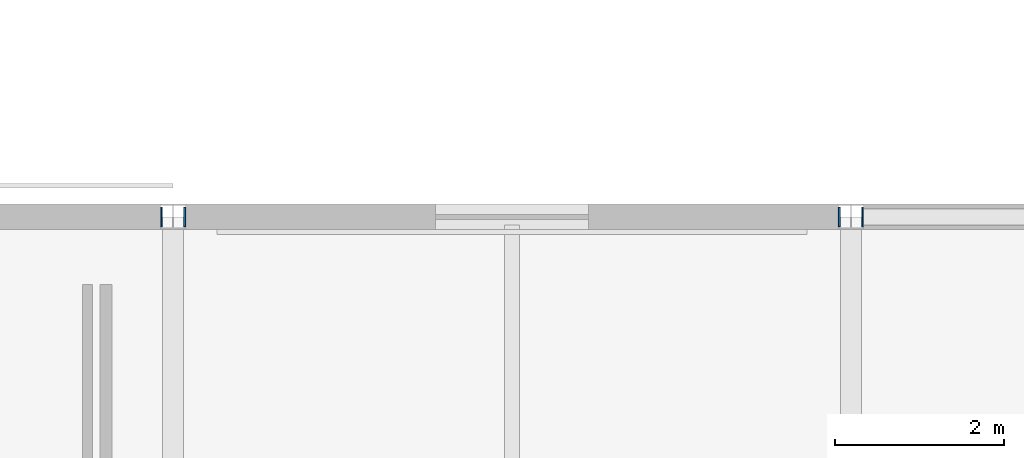
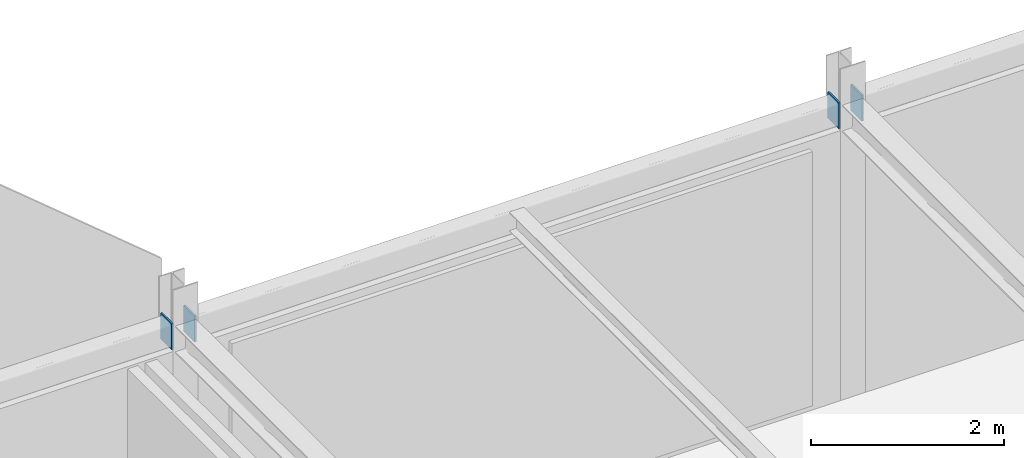
# One storey, part 69 of 88: 4 plates.
"""IFC4 building model written with IfcOpenShell, lengths in metres."""

from ifc_helpers import new_model, si_unit, direction, frame, origin, origin_2d, place, context, subcontext, project, spatial, rectangle, extrude, material, layer, layer_set, type_object, element, save


model = new_model("IFC4")

# Units and contexts
model_context = context("Model", 3, precision=1e-05, world=origin(), true_north=direction((0.0, 1.0)))
body_context = subcontext(model_context, "Body", "Model", "MODEL_VIEW")
ifc_project = project(units=[si_unit("LENGTHUNIT", "METRE"), si_unit("AREAUNIT", "SQUARE_METRE"), si_unit("VOLUMEUNIT", "CUBIC_METRE"), si_unit("PLANEANGLEUNIT", "RADIAN"), si_unit("MASSUNIT", "GRAM", prefix="KILO")], contexts=[model_context])

# Site, building, storey
site_placement = place(None, origin())
site = spatial("IfcSite", under=ifc_project, at=site_placement, CompositionType="ELEMENT")
building_placement = place(site_placement, origin())
building = spatial("IfcBuilding", under=site, at=building_placement, Name="Zhaolan Boulevard Law Courts", CompositionType="ELEMENT")
storey_placement = place(building_placement, frame((0.0, 0.0, 16.199951171875)))
storey = spatial("IfcBuildingStorey", under=building, at=storey_placement, Name="L03", CompositionType="ELEMENT", Elevation=16.199951171875)

# Plates
ifc_material = material(Name="Structural steel Q355B", Category="steel")
ifc_layer = layer(ifc_material, 0.02001953125)
ifc_layer_set = layer_set([ifc_layer])
plate_type = type_object("IfcPlateType", Name="END CAP PLATE 20", PredefinedType="SHEET", material=ifc_layer_set)
for number, where, z_axis, x_axis, name in (
    (1, (115.862060546875, 94.0, 3.423095703125), (0.0, 0.0, 1.0), (1.0, 0.0, 0.0), "Hollow Section End-Cap Plate ECP-0956"),
    (2, (116.137939453125, 94.0, 3.423095703125), (0.0, 0.0, 1.0), (1.0, 0.0, 0.0), "Hollow Section End-Cap Plate ECP-0957"),
    (3, (123.862060546875, 94.0, 3.423095703125), (0.0, 0.0, 1.0), (1.0, 0.0, 0.0), "Hollow Section End-Cap Plate ECP-0958"),
    (4, (124.137939453125, 94.0, 3.423095703125), (0.0, 0.0, 1.0), (1.0, 0.0, 0.0), "Hollow Section End-Cap Plate ECP-0959"),
):
    element("IfcPlate", number, at=place(storey_placement, frame(where, z_axis=z_axis, x_axis=x_axis)), inside=storey, type_object=plate_type, Name=name, PredefinedType="SHEET", context=body_context, shape_type="SweptSolid", body=[
        extrude(rectangle(XDim=0.02001953125, YDim=0.22998046875, at=origin_2d()), origin(), (0.0, 0.0, 1.0), 0.330078125),
    ])

save(model, "model.ifc")
